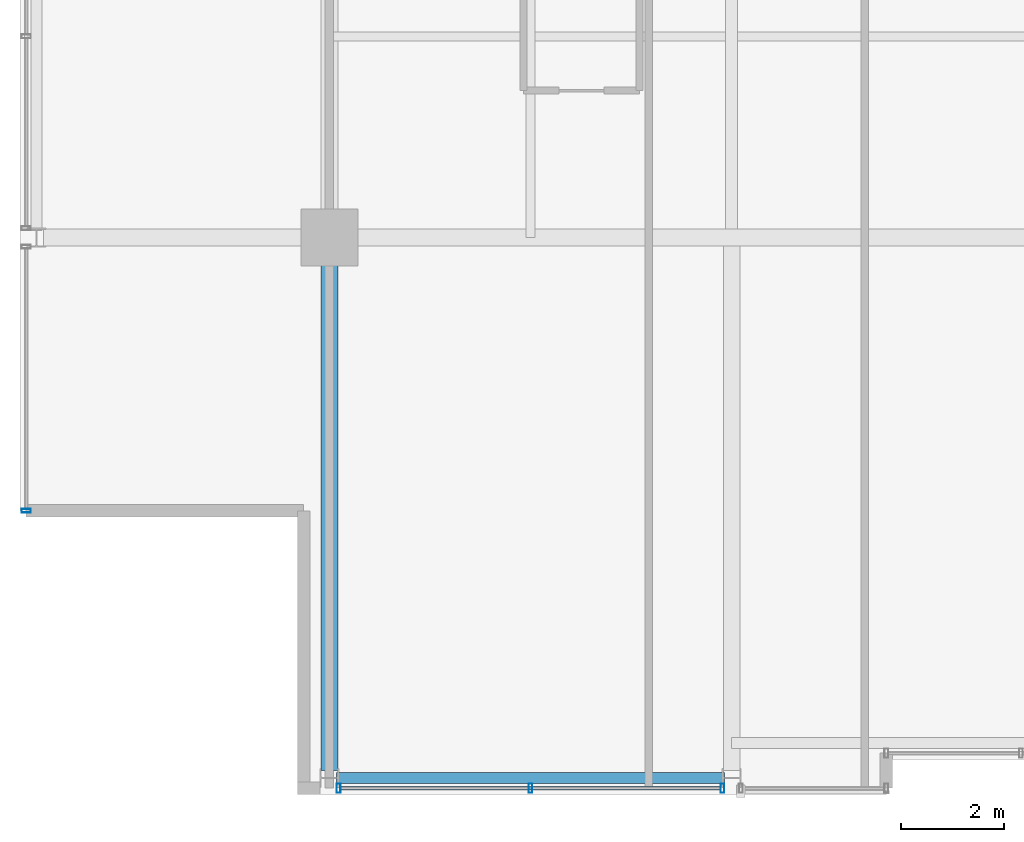
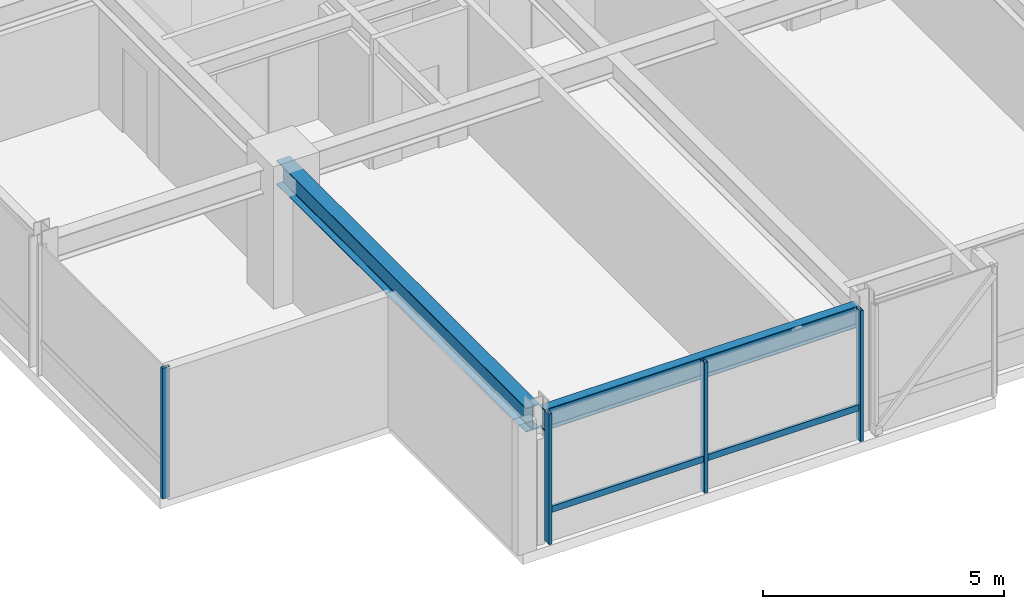
# One storey, part 3 of 34: 5 members, 2 beams, 2 elements without a shape of their own.
"""IFC4 building model written with IfcOpenShell, lengths in metres."""

from ifc_helpers import new_model, si_unit, direction, frame, origin, origin_2d, place, context, subcontext, project, spatial, hollow_rectangle, i_section, extrude, material, layer, layer_set, material_profile, profile_set, type_object, element, aggregate, save


model = new_model("IFC4")

# Units and contexts
model_context = context("Model", 3, precision=1e-05, world=origin(), true_north=direction((0.0, 1.0)))
body_context = subcontext(model_context, "Body", "Model", "MODEL_VIEW")
ifc_project = project(units=[si_unit("LENGTHUNIT", "METRE"), si_unit("AREAUNIT", "SQUARE_METRE"), si_unit("VOLUMEUNIT", "CUBIC_METRE"), si_unit("PLANEANGLEUNIT", "RADIAN"), si_unit("MASSUNIT", "GRAM", prefix="KILO")], contexts=[model_context])

# Site, building, storey
site_placement = place(None, origin())
site = spatial("IfcSite", under=ifc_project, at=site_placement, CompositionType="ELEMENT")
building_placement = place(site_placement, origin())
building = spatial("IfcBuilding", under=site, at=building_placement, Name="Drelvath Grand Hotel", CompositionType="ELEMENT")
storey_placement = place(building_placement, frame((0.0, 0.0, 251.89990234375)))
storey = spatial("IfcBuildingStorey", under=building, at=storey_placement, Name="L66", CompositionType="ELEMENT", Elevation=251.89990234375)

# Curtain wall, member
ifc_material_1 = material(Name="Platinum-Mist Anodised Aluminium Frame", Category="aluminium")
ifc_layer = layer(ifc_material_1, 0.199951171875)
ifc_layer_set = layer_set([ifc_layer], Name="Platinum-Mist Anodised Aluminium Frame")
curtain_wall_type = type_object("IfcCurtainWallType", Name="Stick Curtain Wall CW-05 Platinum Mist High-Rise", PredefinedType="NOTDEFINED", material=ifc_layer_set)
curtain_wall_1_placement = place(storey_placement, origin())
curtain_wall_1 = element("IfcCurtainWall", 1, at=curtain_wall_1_placement, inside=storey, type_object=curtain_wall_type, Name="L66 CW-05 Curtain Wall CW05-L66-SW2", PredefinedType="NOTDEFINED")
ifc_material_profile_1 = material_profile(ifc_material_1, hollow_rectangle(XDim=0.06494140625, YDim=0.159912109375, WallThickness=0.00390625, at=origin_2d()), Name="HSS160X65X4")
ifc_profile_set_1 = profile_set([ifc_material_profile_1], Name="Platinum-Mist Anodised Aluminium Frame")
member_type_1 = type_object("IfcMemberType", Name="Curtain Wall Horizontal Transom CW-05 HSS160X65X4", PredefinedType="USERDEFINED", material=ifc_profile_set_1)
member_1_placement = place(storey_placement, frame((-8.6181640625, 0.1201171875, 0.8251953125), z_axis=(-1.0, 0.0, 0.0), x_axis=(0.0, -1.0, 0.0)))
member_1 = element("IfcMember", 2, at=member_1_placement, type_object=member_type_1, Name="CW05-L66-SW2 Sill Transom", ObjectType="TRANSOM", PredefinedType="USERDEFINED", context=body_context, shape_type="SweptSolid", body=[
    extrude(hollow_rectangle(XDim=0.06494140625, YDim=0.159912109375, WallThickness=0.00390625, at=origin_2d()), origin(), (0.0, 0.0, 1.0), 7.363525390625),
])

curtain_wall_2_placement = place(storey_placement, origin())
curtain_wall_2 = element("IfcCurtainWall", 3, at=curtain_wall_2_placement, inside=storey, type_object=curtain_wall_type, Name="L66 CW-05 Curtain Wall CW05-L66-WS1", PredefinedType="NOTDEFINED")
ifc_material_profile_2 = material_profile(ifc_material_1, hollow_rectangle(XDim=0.074951171875, YDim=0.179931640625, WallThickness=0.0048828125, at=origin_2d()), Name="HSS180X75X5")
ifc_profile_set_2 = profile_set([ifc_material_profile_2], Name="Platinum-Mist Anodised Aluminium Frame")
member_type_2 = type_object("IfcMemberType", Name="Curtain Wall Vertical Mullion CW-05 HSS180X75X5", PredefinedType="MULLION", material=ifc_profile_set_2)
member_2_placement = place(storey_placement, frame((-22.080078125, 5.5, 0.0), z_axis=(0.0, 0.0, 1.0), x_axis=(0.0, 1.0, 0.0)))
member_2 = element("IfcMember", 4, at=member_2_placement, type_object=member_type_2, Name="CW05-L66-WS1 Mullion 1", PredefinedType="MULLION", context=body_context, shape_type="SweptSolid", body=[
    extrude(hollow_rectangle(XDim=0.074951171875, YDim=0.179931640625, WallThickness=0.0048828125, at=origin_2d()), origin(), (0.0, 0.0, 1.0), 3.300048828125),
])
aggregate(curtain_wall_2, [member_2])

# Member
member_3_placement = place(storey_placement, frame((-8.578125, 0.1201171875, 0.0), z_axis=(0.0, 0.0, 1.0), x_axis=(1.0, 0.0, 0.0)))
member_3 = element("IfcMember", 5, at=member_3_placement, type_object=member_type_2, Name="CW05-L66-SW2 Mullion 1", PredefinedType="MULLION", context=body_context, shape_type="SweptSolid", body=[
    extrude(hollow_rectangle(XDim=0.074951171875, YDim=0.179931640625, WallThickness=0.0048828125, at=origin_2d()), origin(), (0.0, 0.0, 1.0), 3.300048828125),
])

member_4_placement = place(storey_placement, frame((-12.300048828125, 0.1201171875, 0.0), z_axis=(0.0, 0.0, 1.0), x_axis=(1.0, 0.0, 0.0)))
member_4 = element("IfcMember", 6, at=member_4_placement, type_object=member_type_2, Name="CW05-L66-SW2 Mullion 2", PredefinedType="MULLION", context=body_context, shape_type="SweptSolid", body=[
    extrude(hollow_rectangle(XDim=0.074951171875, YDim=0.179931640625, WallThickness=0.0048828125, at=origin_2d()), origin(), (0.0, 0.0, 1.0), 3.300048828125),
])

member_5_placement = place(storey_placement, frame((-16.021728515625, 0.1201171875, 0.0), z_axis=(0.0, 0.0, 1.0), x_axis=(1.0, 0.0, 0.0)))
member_5 = element("IfcMember", 7, at=member_5_placement, type_object=member_type_2, Name="CW05-L66-SW2 Mullion 3", PredefinedType="MULLION", context=body_context, shape_type="SweptSolid", body=[
    extrude(hollow_rectangle(XDim=0.074951171875, YDim=0.179931640625, WallThickness=0.0048828125, at=origin_2d()), origin(), (0.0, 0.0, 1.0), 3.300048828125),
])

aggregate(curtain_wall_1, [member_3, member_4, member_5, member_1])

# Beams
ifc_material_2 = material(Name="Steel ASTM A992 Gr 50", Category="steel")
ifc_material_profile_3 = material_profile(ifc_material_2, i_section(OverallWidth=0.210205078125, OverallDepth=0.53662109375, WebThickness=0.010986328125, FlangeThickness=0.017333984375, FilletRadius=0.01806640625, at=origin_2d()), Name="W21X68")
ifc_profile_set_3 = profile_set([ifc_material_profile_3], Name="Steel ASTM A992 Gr 50")
beam_type_1 = type_object("IfcBeamType", Name="Perimeter Spandrel Beam W21X68", PredefinedType="SPANDREL", material=ifc_profile_set_3)
beam_1_placement = place(storey_placement, frame((-16.06005859375, 0.320068359375, 3.03173828125), z_axis=(1.0, 0.0, 0.0), x_axis=(0.0, 1.0, 0.0)))
element("IfcBeam", 8, at=beam_1_placement, inside=storey, type_object=beam_type_1, Name="L66 Spandrel South W", PredefinedType="SPANDREL", context=body_context, shape_type="SweptSolid", body=[
    extrude(i_section(OverallWidth=0.210205078125, OverallDepth=0.53662109375, WebThickness=0.010986328125, FlangeThickness=0.017333984375, FilletRadius=0.01806640625, at=origin_2d()), origin(), (0.0, 0.0, 1.0), 7.52001953125),
])
ifc_material_profile_4 = material_profile(ifc_material_2, i_section(OverallWidth=0.323974609375, OverallDepth=0.611083984375, WebThickness=0.0126953125, FlangeThickness=0.01904296875, FilletRadius=0.02197265625, at=origin_2d()), Name="W24X104")
ifc_profile_set_4 = profile_set([ifc_material_profile_4], Name="Steel ASTM A992 Gr 50")
beam_type_2 = type_object("IfcBeamType", Name="Primary Floor Girder W24X104", PredefinedType="BEAM", material=ifc_profile_set_4)
beam_2_placement = place(storey_placement, frame((-16.199951171875, 0.4599609375, 2.994384765625), z_axis=(0.0, 1.0, 0.0), x_axis=(-1.0, 0.0, 0.0)))
element("IfcBeam", 9, at=beam_2_placement, inside=storey, type_object=beam_type_2, Name="L66 South Grid Girder 3", PredefinedType="BEAM", context=body_context, shape_type="SweptSolid", body=[
    extrude(i_section(OverallWidth=0.323974609375, OverallDepth=0.611083984375, WebThickness=0.0126953125, FlangeThickness=0.01904296875, FilletRadius=0.02197265625, at=origin_2d()), origin(), (0.0, 0.0, 1.0), 10.340087890625),
])

save(model, "model.ifc")
